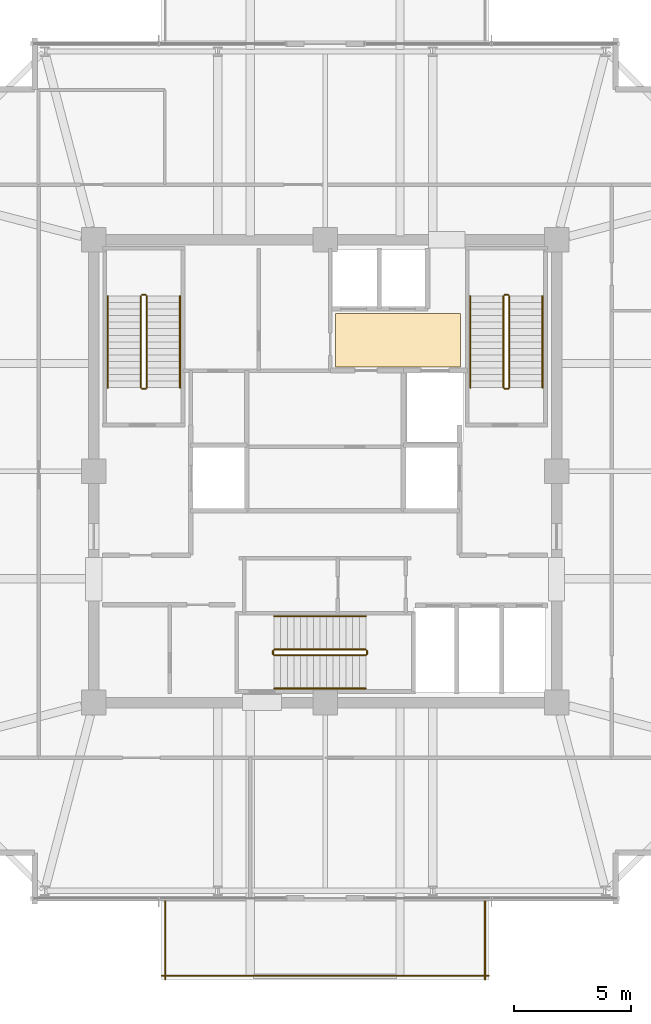
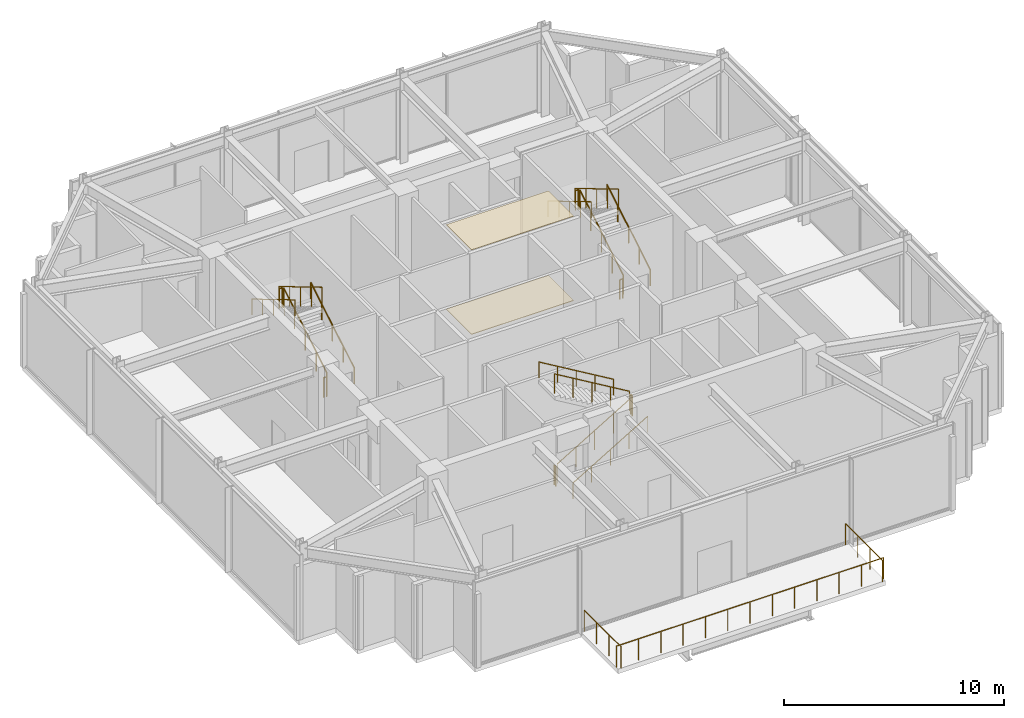
# One storey, part 30 of 31: 21 railings, 2 coverings.
"""IFC4 building model written with IfcOpenShell, lengths in metres."""

import ifcopenshell
import ifcopenshell.guid

model = None  # the IFC model being written
_history = None  # IfcOwnerHistory: only IFC2X3 demands one
_inside = {}  # id of a spatial element -> (the spatial element, [elements in it])
_under = {}  # id of a project, library or spatial element -> (it, [spatial elements below it])
_declared = {}  # id of a project -> (the project, [libraries it declares])
_typed = {}  # id of a type object -> (the type object, [elements of that type])
_made_of = {}  # id of a material, layer set ... -> (it, [elements and type objects made of it])


def new_model(schema):
    """Start an empty IFC model of exactly this schema.

    Asked for "IFC4X3", IfcOpenShell would pick the latest addendum, in which some entities
    have other attributes; the version numbers below select the first issue.
    IFC2X3 requires an IfcOwnerHistory on every rooted entity: one is made here for all.
    """
    global model, _history
    if schema == "IFC4X3":
        model = ifcopenshell.file(schema_version=(4, 3, 0, 0))
    else:
        model = ifcopenshell.file(schema=schema)
    _inside.clear()
    _under.clear()
    _declared.clear()
    _typed.clear()
    _made_of.clear()
    _history = None
    if model.schema == "IFC2X3":
        org = make("IfcOrganization", Name="unknown")
        user = make(
            "IfcPersonAndOrganization",
            ThePerson=make("IfcPerson", FamilyName="unknown"),
            TheOrganization=org,
        )
        app = make(
            "IfcApplication",
            ApplicationDeveloper=org,
            Version="unknown",
            ApplicationFullName="unknown",
            ApplicationIdentifier="unknown",
        )
        _history = make(
            "IfcOwnerHistory",
            OwningUser=user,
            OwningApplication=app,
            ChangeAction="ADDED",
            CreationDate=0,
        )
    return model


def make(cls, **values):
    """One entity of the class cls with the attributes given. An attribute that is None is left unset."""
    return model.create_entity(
        cls, **{name: value for name, value in values.items() if value is not None}
    )


def rooted(cls, **values):
    """An entity with a GlobalId (a new one), such as an element, a storey or a relation."""
    return make(cls, GlobalId=ifcopenshell.guid.new(), OwnerHistory=_history, **values)


def si_unit(unit_type, name, prefix=None):
    """IfcSIUnit, for example si_unit("LENGTHUNIT", "METRE", prefix="MILLI")."""
    return make("IfcSIUnit", UnitType=unit_type, Prefix=prefix, Name=name)


def assignment(units):
    """IfcUnitAssignment: the units of a project."""
    return None if units is None else make("IfcUnitAssignment", Units=units)


def point(xyz):
    """IfcCartesianPoint."""
    return None if xyz is None else make("IfcCartesianPoint", Coordinates=xyz)


def direction(xyz):
    """IfcDirection."""
    return None if xyz is None else make("IfcDirection", DirectionRatios=xyz)


def frame(location, z_axis=None, x_axis=None):
    """IfcAxis2Placement3D, a coordinate frame: its origin and axes. An axis left out is left unset."""
    return make(
        "IfcAxis2Placement3D",
        Location=point(location),
        Axis=direction(z_axis),
        RefDirection=direction(x_axis),
    )


def frame_2d(location, x_axis=None):
    """IfcAxis2Placement2D, a coordinate frame in the plane: its origin and x axis."""
    return make(
        "IfcAxis2Placement2D", Location=point(location), RefDirection=direction(x_axis)
    )


def origin():
    """The frame at (0, 0, 0) with its axes left unset."""
    return frame((0.0, 0.0, 0.0))


def origin_2d():
    """The frame at (0, 0) in the plane with its x axis left unset."""
    return frame_2d((0.0, 0.0))


def place(relative_to, where):
    """IfcLocalPlacement: puts the frame where relative to a parent placement (None: the world)."""
    return make(
        "IfcLocalPlacement", PlacementRelTo=relative_to, RelativePlacement=where
    )


def context(
    kind, dimensions, precision=None, world=None, true_north=None, identifier=None
):
    """IfcGeometricRepresentationContext, for example the 3D "Model" context."""
    return make(
        "IfcGeometricRepresentationContext",
        ContextIdentifier=identifier,
        ContextType=kind,
        CoordinateSpaceDimension=dimensions,
        Precision=precision,
        WorldCoordinateSystem=world,
        TrueNorth=true_north,
    )


def subcontext(parent, identifier, kind, view, scale=None):
    """IfcGeometricRepresentationSubContext, for example "Body" below "Model"."""
    return make(
        "IfcGeometricRepresentationSubContext",
        ContextIdentifier=identifier,
        ContextType=kind,
        ParentContext=parent,
        TargetScale=scale,
        TargetView=view,
    )


def project(units=None, contexts=None):
    """IfcProject with its units and contexts."""
    return rooted(
        "IfcProject",
        Name="project",
        RepresentationContexts=contexts,
        UnitsInContext=assignment(units),
    )


def spatial(cls, under=None, at=None, **own):
    """A site, building, storey or space (cls), placed at a placement, below another one or the project."""
    s = rooted(cls, ObjectPlacement=at, **own)
    if under is not None:
        _under.setdefault(under.id(), (under, []))[1].append(s)
    return s


def polyline(points):
    """IfcPolyline through the points."""
    return make("IfcPolyline", Points=[point(p) for p in points])


def profile(cls, at=None, kind="AREA", **sizes):
    """A parametric profile (cls). Its sizes go by their IFC names, for example OverallWidth=200.0."""
    return make(cls, ProfileType=kind, Position=at, **sizes)


def circle(**sizes):
    """IfcCircleProfileDef."""
    return profile("IfcCircleProfileDef", **sizes)


def outline(outer, holes=None, kind="AREA"):
    """IfcArbitraryClosedProfileDef: a profile drawn as a closed curve; with holes, ...WithVoids."""
    if holes is None:
        return make("IfcArbitraryClosedProfileDef", ProfileType=kind, OuterCurve=outer)
    return make(
        "IfcArbitraryProfileDefWithVoids",
        ProfileType=kind,
        OuterCurve=outer,
        InnerCurves=holes,
    )


def extrude(swept, where, along, depth):
    """IfcExtrudedAreaSolid: the profile swept, set in the frame where, extruded along a direction by depth."""
    return make(
        "IfcExtrudedAreaSolid",
        SweptArea=swept,
        Position=where,
        ExtrudedDirection=direction(along),
        Depth=depth,
    )


def shape(context_of_items, identifier, shape_type, items):
    """IfcShapeRepresentation: the items that make up one representation, for example the "Body"."""
    return make(
        "IfcShapeRepresentation",
        ContextOfItems=context_of_items,
        RepresentationIdentifier=identifier,
        RepresentationType=shape_type,
        Items=items,
    )


def material(Name=None, Category=None):
    """IfcMaterial."""
    return make("IfcMaterial", Name=Name, Category=Category)


def layer(
    of_material, thickness, ventilated=None, Name=None, Category=None, Priority=None
):
    """IfcMaterialLayer: one layer of a wall or slab, of a material (None: an air gap)."""
    return make(
        "IfcMaterialLayer",
        Material=of_material,
        LayerThickness=thickness,
        IsVentilated=ventilated,
        Name=Name,
        Category=Category,
        Priority=Priority,
    )


def layer_set(layers, Name=None):
    """IfcMaterialLayerSet."""
    return make("IfcMaterialLayerSet", MaterialLayers=layers, LayerSetName=Name)


def made_of(thing, what):
    """Note that an element or type object is made of a material, layer set ...; save() writes the relation."""
    if what is not None:
        _made_of.setdefault(what.id(), (what, []))[1].append(thing)
    return thing


def type_object(cls, material=None, **own):
    """A type object (cls), such as IfcWallType, which elements share."""
    return made_of(rooted(cls, **own), material)


def element(
    cls,
    number,
    at=None,
    inside=None,
    cuts=None,
    type_object=None,
    material=None,
    context=None,
    identifier="Body",
    shape_type=None,
    held_by="IfcProductDefinitionShape",
    body=None,
    shapes=None,
    **own,
):
    """One element of the class cls, such as IfcWall. Its Tag is "e" and its number.

    at: its placement. inside: the storey or other place that contains it. cuts: it is an
    opening in that element (IfcRelVoidsElement). A single representation is given by context,
    identifier, shape_type and body (its items); several are given by shapes. held_by: the class
    of the entity that holds the representations. save() writes the other relations.
    """
    e = rooted(cls, Tag="e%d" % number, ObjectPlacement=at, **own)
    if body is not None:
        shapes = [shape(context, identifier, shape_type, body)]
    if shapes is not None:
        e.Representation = make(held_by, Representations=shapes)
    if inside is not None:
        _inside.setdefault(inside.id(), (inside, []))[1].append(e)
    if cuts is not None:
        rooted(
            "IfcRelVoidsElement", RelatingBuildingElement=cuts, RelatedOpeningElement=e
        )
    if type_object is not None:
        _typed.setdefault(type_object.id(), (type_object, []))[1].append(e)
    return made_of(e, material)


def aggregate(whole, parts):
    """IfcRelAggregates: a whole, such as a stair, and the parts it consists of."""
    return rooted("IfcRelAggregates", RelatingObject=whole, RelatedObjects=parts)


def save(model, path):
    """Write the relations noted so far, then the file.

    IfcRelAggregates (storeys below a building ...), IfcRelContainedInSpatialStructure (elements
    in a storey), IfcRelDefinesByType, IfcRelAssociatesMaterial and IfcRelDeclares: one each for
    every whole, place, type object, material and project.
    """
    for whole, parts in _under.values():
        aggregate(whole, parts)
    for where, things in _inside.values():
        rooted(
            "IfcRelContainedInSpatialStructure",
            RelatedElements=things,
            RelatingStructure=where,
        )
    for kind, things in _typed.values():
        rooted("IfcRelDefinesByType", RelatedObjects=things, RelatingType=kind)
    for what, things in _made_of.values():
        rooted("IfcRelAssociatesMaterial", RelatedObjects=things, RelatingMaterial=what)
    for by, libraries in _declared.values():
        rooted("IfcRelDeclares", RelatingContext=by, RelatedDefinitions=libraries)
    model.write(path)


model = new_model("IFC4")

# Units and contexts
model_context = context("Model", 3, precision=1e-05, world=origin(), true_north=direction((0.0, 1.0)))
body_context = subcontext(model_context, "Body", "Model", "MODEL_VIEW")
ifc_project = project(units=[si_unit("LENGTHUNIT", "METRE"), si_unit("AREAUNIT", "SQUARE_METRE"), si_unit("VOLUMEUNIT", "CUBIC_METRE"), si_unit("PLANEANGLEUNIT", "RADIAN"), si_unit("MASSUNIT", "GRAM", prefix="KILO")], contexts=[model_context])

# Site, building, storey
site_placement = place(None, origin())
site = spatial("IfcSite", under=ifc_project, at=site_placement, CompositionType="ELEMENT")
building_placement = place(site_placement, origin())
building = spatial("IfcBuilding", under=site, at=building_placement, Name="Kolvaren Belvedere", CompositionType="ELEMENT")
storey_placement = place(building_placement, frame((0.0, 0.0, 267.39990234375)))
storey = spatial("IfcBuildingStorey", under=building, at=storey_placement, Name="L77", CompositionType="ELEMENT", Elevation=267.39990234375)

# Coverings
ifc_material_1 = material(Name="Acoustic perforated gypsum board", Category="gypsum")
ifc_layer_1 = layer(ifc_material_1, 0.02490234375)
ifc_layer_set_1 = layer_set([ifc_layer_1], Name="Acoustic perforated gypsum board")
covering_type_1 = type_object("IfcCoveringType", Name="COV-CEIL-GYP", PredefinedType="CEILING", material=ifc_layer_set_1)
covering_1_placement = place(storey_placement, frame((0.0, 0.0, 4.675048828125)))
element("IfcCovering", 1, at=covering_1_placement, inside=storey, type_object=covering_type_1, Name="L77 Lift Lobby Acoustic Baffle Ceiling", PredefinedType="CEILING", context=body_context, shape_type="SweptSolid", body=[
    extrude(outline(polyline([(0.449951171875, 4.449951171875), (5.800048828125, 4.449951171875), (5.800048828125, 6.75), (0.449951171875, 6.75), (0.449951171875, 4.449951171875)])), origin(), (0.0, 0.0, 1.0), 0.025146484375),
])
ifc_material_2 = material(Name="Honed Cascade basalt stone", Category="masonry")
ifc_layer_2 = layer(ifc_material_2, 0.02490234375)
ifc_layer_set_2 = layer_set([ifc_layer_2], Name="Honed Cascade basalt stone")
covering_type_2 = type_object("IfcCoveringType", Name="COV-FLR-STONE", PredefinedType="FLOORING", material=ifc_layer_set_2)
covering_2_placement = place(storey_placement, origin())
element("IfcCovering", 2, at=covering_2_placement, inside=storey, type_object=covering_type_2, Name="L77 Lift Lobby Finish Flooring", PredefinedType="FLOORING", context=body_context, shape_type="SweptSolid", body=[
    extrude(outline(polyline([(0.449951171875, 4.449951171875), (5.800048828125, 4.449951171875), (5.800048828125, 6.75), (0.449951171875, 6.75), (0.449951171875, 4.449951171875)])), origin(), (0.0, 0.0, 1.0), 0.025146484375),
])

# Railings
ifc_material_3 = material(Name="Brushed stainless-steel handrail", Category="steel")
railing_type_1 = type_object("IfcRailingType", Name="RL-HANDRAIL-920", PredefinedType="HANDRAIL", material=ifc_material_3)
railing_1_placement = place(storey_placement, frame((-6.2099609375, 3.570068359375, 0.166748046875)))
element("IfcRailing", 3, at=railing_1_placement, inside=storey, type_object=railing_type_1, Name="L77 ST-1 stair handrail 1", PredefinedType="HANDRAIL", context=body_context, shape_type="SweptSolid", body=[
    extrude(circle(Radius=0.02392578125, at=origin_2d()), frame((0.0, 0.0, 0.8759765625), z_axis=(0.0, 0.859296244711, 0.511478214419), x_axis=(-1.0, 0.0, 0.0)), (0.0, 0.0, 1.0), 4.561767578125),
    extrude(circle(Radius=0.02099609375, at=origin_2d()), origin(), (0.0, 0.0, 1.0), 0.851806640625),
    extrude(circle(Radius=0.02099609375, at=origin_2d()), frame((0.0, 0.97998046875, 0.583251953125)), (0.0, 0.0, 1.0), 0.851806640625),
    extrude(circle(Radius=0.02099609375, at=origin_2d()), frame((0.0, 1.9599609375, 1.16650390625)), (0.0, 0.0, 1.0), 0.851806640625),
    extrude(circle(Radius=0.02099609375, at=origin_2d()), frame((0.0, 2.93994140625, 1.75)), (0.0, 0.0, 1.0), 0.851806640625),
    extrude(circle(Radius=0.02099609375, at=origin_2d()), frame((0.0, 3.919921875, 2.333251953125)), (0.0, 0.0, 1.0), 0.851806640625),
])
railing_2_placement = place(storey_placement, frame((-9.300048828125, 7.489990234375, 2.666748046875)))
element("IfcRailing", 4, at=railing_2_placement, inside=storey, type_object=railing_type_1, Name="L77 ST-1 stair handrail 2", PredefinedType="HANDRAIL", context=body_context, shape_type="SweptSolid", body=[
    extrude(circle(Radius=0.02392578125, at=origin_2d()), frame((0.0, 0.0, 0.8759765625), z_axis=(0.0, -0.859296244711, 0.511478214419), x_axis=(1.0, 0.0, 0.0)), (0.0, 0.0, 1.0), 4.561767578125),
    extrude(circle(Radius=0.02099609375, at=origin_2d()), origin(), (0.0, 0.0, 1.0), 0.851806640625),
    extrude(circle(Radius=0.02099609375, at=origin_2d()), frame((0.0, -0.97998046875, 0.583251953125)), (0.0, 0.0, 1.0), 0.851806640625),
    extrude(circle(Radius=0.02099609375, at=origin_2d()), frame((0.0, -1.9599609375, 1.16650390625)), (0.0, 0.0, 1.0), 0.851806640625),
    extrude(circle(Radius=0.02099609375, at=origin_2d()), frame((0.0, -2.93994140625, 1.75)), (0.0, 0.0, 1.0), 0.851806640625),
    extrude(circle(Radius=0.02099609375, at=origin_2d()), frame((0.0, -3.919921875, 2.333251953125)), (0.0, 0.0, 1.0), 0.851806640625),
])
railing_3_placement = place(storey_placement, frame((9.300048828125, 3.570068359375, 0.166748046875)))
element("IfcRailing", 5, at=railing_3_placement, inside=storey, type_object=railing_type_1, Name="L77 ST-2 stair handrail 1", PredefinedType="HANDRAIL", context=body_context, shape_type="SweptSolid", body=[
    extrude(circle(Radius=0.02392578125, at=origin_2d()), frame((0.0, 0.0, 0.8759765625), z_axis=(0.0, 0.859296244711, 0.511478214419), x_axis=(-1.0, 0.0, 0.0)), (0.0, 0.0, 1.0), 4.561767578125),
    extrude(circle(Radius=0.02099609375, at=origin_2d()), origin(), (0.0, 0.0, 1.0), 0.851806640625),
    extrude(circle(Radius=0.02099609375, at=origin_2d()), frame((0.0, 0.97998046875, 0.583251953125)), (0.0, 0.0, 1.0), 0.851806640625),
    extrude(circle(Radius=0.02099609375, at=origin_2d()), frame((0.0, 1.9599609375, 1.16650390625)), (0.0, 0.0, 1.0), 0.851806640625),
    extrude(circle(Radius=0.02099609375, at=origin_2d()), frame((0.0, 2.93994140625, 1.75)), (0.0, 0.0, 1.0), 0.851806640625),
    extrude(circle(Radius=0.02099609375, at=origin_2d()), frame((0.0, 3.919921875, 2.333251953125)), (0.0, 0.0, 1.0), 0.851806640625),
])
railing_4_placement = place(storey_placement, frame((6.2099609375, 7.489990234375, 2.666748046875)))
element("IfcRailing", 6, at=railing_4_placement, inside=storey, type_object=railing_type_1, Name="L77 ST-2 stair handrail 2", PredefinedType="HANDRAIL", context=body_context, shape_type="SweptSolid", body=[
    extrude(circle(Radius=0.02392578125, at=origin_2d()), frame((0.0, 0.0, 0.8759765625), z_axis=(0.0, -0.859296244711, 0.511478214419), x_axis=(1.0, 0.0, 0.0)), (0.0, 0.0, 1.0), 4.561767578125),
    extrude(circle(Radius=0.02099609375, at=origin_2d()), origin(), (0.0, 0.0, 1.0), 0.851806640625),
    extrude(circle(Radius=0.02099609375, at=origin_2d()), frame((0.0, -0.97998046875, 0.583251953125)), (0.0, 0.0, 1.0), 0.851806640625),
    extrude(circle(Radius=0.02099609375, at=origin_2d()), frame((0.0, -1.9599609375, 1.16650390625)), (0.0, 0.0, 1.0), 0.851806640625),
    extrude(circle(Radius=0.02099609375, at=origin_2d()), frame((0.0, -2.93994140625, 1.75)), (0.0, 0.0, 1.0), 0.851806640625),
    extrude(circle(Radius=0.02099609375, at=origin_2d()), frame((0.0, -3.919921875, 2.333251953125)), (0.0, 0.0, 1.0), 0.851806640625),
])
railing_5_placement = place(storey_placement, frame((-2.179931640625, -9.300048828125, 0.166748046875)))
element("IfcRailing", 7, at=railing_5_placement, inside=storey, type_object=railing_type_1, Name="L77 ST-3 stair handrail 1", PredefinedType="HANDRAIL", context=body_context, shape_type="SweptSolid", body=[
    extrude(circle(Radius=0.02392578125, at=origin_2d()), frame((0.0, 0.0, 0.8759765625), z_axis=(0.859296244711, 0.0, 0.511478214419), x_axis=(0.0, 1.0, 0.0)), (0.0, 0.0, 1.0), 4.561767578125),
    extrude(circle(Radius=0.02099609375, at=origin_2d()), origin(), (0.0, 0.0, 1.0), 0.851806640625),
    extrude(circle(Radius=0.02099609375, at=origin_2d()), frame((0.97998046875, 0.0, 0.583251953125)), (0.0, 0.0, 1.0), 0.851806640625),
    extrude(circle(Radius=0.02099609375, at=origin_2d()), frame((1.9599609375, 0.0, 1.16650390625)), (0.0, 0.0, 1.0), 0.851806640625),
    extrude(circle(Radius=0.02099609375, at=origin_2d()), frame((2.93994140625, 0.0, 1.75)), (0.0, 0.0, 1.0), 0.851806640625),
    extrude(circle(Radius=0.02099609375, at=origin_2d()), frame((3.919921875, 0.0, 2.333251953125)), (0.0, 0.0, 1.0), 0.851806640625),
])
railing_6_placement = place(storey_placement, frame((1.739990234375, -6.2099609375, 2.666748046875)))
element("IfcRailing", 8, at=railing_6_placement, inside=storey, type_object=railing_type_1, Name="L77 ST-3 stair handrail 2", PredefinedType="HANDRAIL", context=body_context, shape_type="SweptSolid", body=[
    extrude(circle(Radius=0.02392578125, at=origin_2d()), frame((0.0, 0.0, 0.8759765625), z_axis=(-0.859296244711, 0.0, 0.511478214419), x_axis=(0.0, -1.0, 0.0)), (0.0, 0.0, 1.0), 4.561767578125),
    extrude(circle(Radius=0.02099609375, at=origin_2d()), origin(), (0.0, 0.0, 1.0), 0.851806640625),
    extrude(circle(Radius=0.02099609375, at=origin_2d()), frame((-0.97998046875, 0.0, 0.583251953125)), (0.0, 0.0, 1.0), 0.851806640625),
    extrude(circle(Radius=0.02099609375, at=origin_2d()), frame((-1.9599609375, 0.0, 1.16650390625)), (0.0, 0.0, 1.0), 0.851806640625),
    extrude(circle(Radius=0.02099609375, at=origin_2d()), frame((-2.93994140625, 0.0, 1.75)), (0.0, 0.0, 1.0), 0.851806640625),
    extrude(circle(Radius=0.02099609375, at=origin_2d()), frame((-3.919921875, 0.0, 2.333251953125)), (0.0, 0.0, 1.0), 0.851806640625),
])
ifc_material_4 = material(Name="Structural stainless-steel & low-iron glass lookout guard", Category="steel")
railing_type_2 = type_object("IfcRailingType", Name="RL-LOOKOUT-1200", PredefinedType="GUARDRAIL", material=ifc_material_4)
railing_7_placement = place(storey_placement, frame((-7.0, -21.590087890625, -0.02001953125)))
element("IfcRailing", 9, at=railing_7_placement, inside=storey, type_object=railing_type_2, Name="L77 Exterior Deck Safety Guard LOOKOUT-S-1", PredefinedType="GUARDRAIL", context=body_context, shape_type="SweptSolid", body=[
    extrude(circle(Radius=0.02392578125, at=origin_2d()), frame((0.0, 0.0, 1.17578125), z_axis=(1.0, 0.0, 0.0), x_axis=(0.0, 1.0, 0.0)), (0.0, 0.0, 1.0), 14.0),
    extrude(circle(Radius=0.02099609375, at=origin_2d()), origin(), (0.0, 0.0, 1.0), 1.15185546875),
    extrude(circle(Radius=0.02099609375, at=origin_2d()), frame((1.166748046875, 0.0, 0.0)), (0.0, 0.0, 1.0), 1.15185546875),
    extrude(circle(Radius=0.02099609375, at=origin_2d()), frame((2.333251953125, 0.0, 0.0)), (0.0, 0.0, 1.0), 1.15185546875),
    extrude(circle(Radius=0.02099609375, at=origin_2d()), frame((3.5, 0.0, 0.0)), (0.0, 0.0, 1.0), 1.15185546875),
    extrude(circle(Radius=0.02099609375, at=origin_2d()), frame((4.666748046875, 0.0, 0.0)), (0.0, 0.0, 1.0), 1.15185546875),
    extrude(circle(Radius=0.02099609375, at=origin_2d()), frame((5.833251953125, 0.0, 0.0)), (0.0, 0.0, 1.0), 1.15185546875),
    extrude(circle(Radius=0.02099609375, at=origin_2d()), frame((7.0, 0.0, 0.0)), (0.0, 0.0, 1.0), 1.15185546875),
    extrude(circle(Radius=0.02099609375, at=origin_2d()), frame((8.166748046875, 0.0, 0.0)), (0.0, 0.0, 1.0), 1.15185546875),
    extrude(circle(Radius=0.02099609375, at=origin_2d()), frame((9.333251953125, 0.0, 0.0)), (0.0, 0.0, 1.0), 1.15185546875),
    extrude(circle(Radius=0.02099609375, at=origin_2d()), frame((10.5, 0.0, 0.0)), (0.0, 0.0, 1.0), 1.15185546875),
    extrude(circle(Radius=0.02099609375, at=origin_2d()), frame((11.666748046875, 0.0, 0.0)), (0.0, 0.0, 1.0), 1.15185546875),
    extrude(circle(Radius=0.02099609375, at=origin_2d()), frame((12.833251953125, 0.0, 0.0)), (0.0, 0.0, 1.0), 1.15185546875),
    extrude(circle(Radius=0.02099609375, at=origin_2d()), frame((14.0, 0.0, 0.0)), (0.0, 0.0, 1.0), 1.15185546875),
])
railing_8_placement = place(storey_placement, frame((6.840087890625, -21.75, -0.02001953125)))
element("IfcRailing", 10, at=railing_8_placement, inside=storey, type_object=railing_type_2, Name="L77 Exterior Deck Safety Guard LOOKOUT-S-2", PredefinedType="GUARDRAIL", context=body_context, shape_type="SweptSolid", body=[
    extrude(circle(Radius=0.02392578125, at=origin_2d()), frame((0.0, 0.0, 1.17578125), z_axis=(0.0, 1.0, 0.0), x_axis=(-1.0, 0.0, 0.0)), (0.0, 0.0, 1.0), 3.35009765625),
    extrude(circle(Radius=0.02099609375, at=origin_2d()), origin(), (0.0, 0.0, 1.0), 1.15185546875),
    extrude(circle(Radius=0.02099609375, at=origin_2d()), frame((0.0, 1.11669921875, 0.0)), (0.0, 0.0, 1.0), 1.15185546875),
    extrude(circle(Radius=0.02099609375, at=origin_2d()), frame((0.0, 2.2333984375, 0.0)), (0.0, 0.0, 1.0), 1.15185546875),
    extrude(circle(Radius=0.02099609375, at=origin_2d()), frame((0.0, 3.35009765625, 0.0)), (0.0, 0.0, 1.0), 1.15185546875),
])
railing_9_placement = place(storey_placement, frame((-6.840087890625, -18.39990234375, -0.02001953125)))
element("IfcRailing", 11, at=railing_9_placement, inside=storey, type_object=railing_type_2, Name="L77 Exterior Deck Safety Guard LOOKOUT-S-4", PredefinedType="GUARDRAIL", context=body_context, shape_type="SweptSolid", body=[
    extrude(circle(Radius=0.02392578125, at=origin_2d()), frame((0.0, 0.0, 1.17578125), z_axis=(0.0, -1.0, 0.0), x_axis=(1.0, 0.0, 0.0)), (0.0, 0.0, 1.0), 3.35009765625),
    extrude(circle(Radius=0.02099609375, at=origin_2d()), origin(), (0.0, 0.0, 1.0), 1.15185546875),
    extrude(circle(Radius=0.02099609375, at=origin_2d()), frame((0.0, -1.11669921875, 0.0)), (0.0, 0.0, 1.0), 1.15185546875),
    extrude(circle(Radius=0.02099609375, at=origin_2d()), frame((0.0, -2.2333984375, 0.0)), (0.0, 0.0, 1.0), 1.15185546875),
    extrude(circle(Radius=0.02099609375, at=origin_2d()), frame((0.0, -3.35009765625, 0.0)), (0.0, 0.0, 1.0), 1.15185546875),
])
ifc_material_5 = material(Name="Painted tubular steel stair guard", Category="steel")
railing_type_3 = type_object("IfcRailingType", Name="RL-STGUARD-1100", PredefinedType="GUARDRAIL", material=ifc_material_5)
railing_10_placement = place(storey_placement, frame((-7.6298828125, 3.570068359375, 0.166748046875)))
element("IfcRailing", 12, at=railing_10_placement, inside=storey, type_object=railing_type_3, Name="L77 ST-1 stair guard 1", PredefinedType="GUARDRAIL", context=body_context, shape_type="SweptSolid", body=[
    extrude(circle(Radius=0.02392578125, at=origin_2d()), frame((0.0, 0.0, 1.076171875), z_axis=(0.0, 0.859296244711, 0.511478214419), x_axis=(-1.0, 0.0, 0.0)), (0.0, 0.0, 1.0), 4.561767578125),
    extrude(circle(Radius=0.02099609375, at=origin_2d()), origin(), (0.0, 0.0, 1.0), 1.052001953125),
    extrude(circle(Radius=0.02099609375, at=origin_2d()), frame((0.0, 0.97998046875, 0.583251953125)), (0.0, 0.0, 1.0), 1.052001953125),
    extrude(circle(Radius=0.02099609375, at=origin_2d()), frame((0.0, 1.9599609375, 1.16650390625)), (0.0, 0.0, 1.0), 1.052001953125),
    extrude(circle(Radius=0.02099609375, at=origin_2d()), frame((0.0, 2.93994140625, 1.75)), (0.0, 0.0, 1.0), 1.052001953125),
    extrude(circle(Radius=0.02099609375, at=origin_2d()), frame((0.0, 3.919921875, 2.333251953125)), (0.0, 0.0, 1.0), 1.052001953125),
])
railing_11_placement = place(storey_placement, frame((-7.679931640625, 7.5400390625, 2.5)))
element("IfcRailing", 13, at=railing_11_placement, inside=storey, type_object=railing_type_3, Name="L77 ST-1 stair guard 2", PredefinedType="GUARDRAIL", context=body_context, shape_type="SweptSolid", body=[
    extrude(circle(Radius=0.02392578125, at=origin_2d()), frame((0.0, 0.0, 1.076171875), z_axis=(-1.0, 0.0, 0.0), x_axis=(0.0, -1.0, 0.0)), (0.0, 0.0, 1.0), 0.150146484375),
    extrude(circle(Radius=0.02099609375, at=origin_2d()), origin(), (0.0, 0.0, 1.0), 1.052001953125),
    extrude(circle(Radius=0.02099609375, at=origin_2d()), frame((-0.150146484375, 0.0, 0.0)), (0.0, 0.0, 1.0), 1.052001953125),
])
railing_12_placement = place(storey_placement, frame((-7.8798828125, 7.489990234375, 2.666748046875)))
element("IfcRailing", 14, at=railing_12_placement, inside=storey, type_object=railing_type_3, Name="L77 ST-1 stair guard 3", PredefinedType="GUARDRAIL", context=body_context, shape_type="SweptSolid", body=[
    extrude(circle(Radius=0.02392578125, at=origin_2d()), frame((0.0, 0.0, 1.076171875), z_axis=(0.0, -0.859296244711, 0.511478214419), x_axis=(1.0, 0.0, 0.0)), (0.0, 0.0, 1.0), 4.561767578125),
    extrude(circle(Radius=0.02099609375, at=origin_2d()), origin(), (0.0, 0.0, 1.0), 1.052001953125),
    extrude(circle(Radius=0.02099609375, at=origin_2d()), frame((0.0, -0.97998046875, 0.583251953125)), (0.0, 0.0, 1.0), 1.052001953125),
    extrude(circle(Radius=0.02099609375, at=origin_2d()), frame((0.0, -1.9599609375, 1.16650390625)), (0.0, 0.0, 1.0), 1.052001953125),
    extrude(circle(Radius=0.02099609375, at=origin_2d()), frame((0.0, -2.93994140625, 1.75)), (0.0, 0.0, 1.0), 1.052001953125),
    extrude(circle(Radius=0.02099609375, at=origin_2d()), frame((0.0, -3.919921875, 2.333251953125)), (0.0, 0.0, 1.0), 1.052001953125),
])
railing_13_placement = place(storey_placement, frame((-7.679931640625, 3.52001953125, 0.0)))
element("IfcRailing", 15, at=railing_13_placement, inside=storey, type_object=railing_type_3, Name="L77 ST-1 stair guard 4", PredefinedType="GUARDRAIL", context=body_context, shape_type="SweptSolid", body=[
    extrude(circle(Radius=0.02392578125, at=origin_2d()), frame((0.0, 0.0, 1.076171875), z_axis=(-1.0, 0.0, 0.0), x_axis=(0.0, -1.0, 0.0)), (0.0, 0.0, 1.0), 0.150146484375),
    extrude(circle(Radius=0.02099609375, at=origin_2d()), origin(), (0.0, 0.0, 1.0), 1.052001953125),
    extrude(circle(Radius=0.02099609375, at=origin_2d()), frame((-0.150146484375, 0.0, 0.0)), (0.0, 0.0, 1.0), 1.052001953125),
])
railing_14_placement = place(storey_placement, frame((7.8798828125, 3.570068359375, 0.166748046875)))
element("IfcRailing", 16, at=railing_14_placement, inside=storey, type_object=railing_type_3, Name="L77 ST-2 stair guard 1", PredefinedType="GUARDRAIL", context=body_context, shape_type="SweptSolid", body=[
    extrude(circle(Radius=0.02392578125, at=origin_2d()), frame((0.0, 0.0, 1.076171875), z_axis=(0.0, 0.859296244711, 0.511478214419), x_axis=(-1.0, 0.0, 0.0)), (0.0, 0.0, 1.0), 4.561767578125),
    extrude(circle(Radius=0.02099609375, at=origin_2d()), origin(), (0.0, 0.0, 1.0), 1.052001953125),
    extrude(circle(Radius=0.02099609375, at=origin_2d()), frame((0.0, 0.97998046875, 0.583251953125)), (0.0, 0.0, 1.0), 1.052001953125),
    extrude(circle(Radius=0.02099609375, at=origin_2d()), frame((0.0, 1.9599609375, 1.16650390625)), (0.0, 0.0, 1.0), 1.052001953125),
    extrude(circle(Radius=0.02099609375, at=origin_2d()), frame((0.0, 2.93994140625, 1.75)), (0.0, 0.0, 1.0), 1.052001953125),
    extrude(circle(Radius=0.02099609375, at=origin_2d()), frame((0.0, 3.919921875, 2.333251953125)), (0.0, 0.0, 1.0), 1.052001953125),
])
railing_15_placement = place(storey_placement, frame((7.830078125, 7.5400390625, 2.5)))
element("IfcRailing", 17, at=railing_15_placement, inside=storey, type_object=railing_type_3, Name="L77 ST-2 stair guard 2", PredefinedType="GUARDRAIL", context=body_context, shape_type="SweptSolid", body=[
    extrude(circle(Radius=0.02392578125, at=origin_2d()), frame((0.0, 0.0, 1.076171875), z_axis=(-1.0, 0.0, 0.0), x_axis=(0.0, -1.0, 0.0)), (0.0, 0.0, 1.0), 0.150146484375),
    extrude(circle(Radius=0.02099609375, at=origin_2d()), origin(), (0.0, 0.0, 1.0), 1.052001953125),
    extrude(circle(Radius=0.02099609375, at=origin_2d()), frame((-0.150146484375, 0.0, 0.0)), (0.0, 0.0, 1.0), 1.052001953125),
])
railing_16_placement = place(storey_placement, frame((7.6298828125, 7.489990234375, 2.666748046875)))
element("IfcRailing", 18, at=railing_16_placement, inside=storey, type_object=railing_type_3, Name="L77 ST-2 stair guard 3", PredefinedType="GUARDRAIL", context=body_context, shape_type="SweptSolid", body=[
    extrude(circle(Radius=0.02392578125, at=origin_2d()), frame((0.0, 0.0, 1.076171875), z_axis=(0.0, -0.859296244711, 0.511478214419), x_axis=(1.0, 0.0, 0.0)), (0.0, 0.0, 1.0), 4.561767578125),
    extrude(circle(Radius=0.02099609375, at=origin_2d()), origin(), (0.0, 0.0, 1.0), 1.052001953125),
    extrude(circle(Radius=0.02099609375, at=origin_2d()), frame((0.0, -0.97998046875, 0.583251953125)), (0.0, 0.0, 1.0), 1.052001953125),
    extrude(circle(Radius=0.02099609375, at=origin_2d()), frame((0.0, -1.9599609375, 1.16650390625)), (0.0, 0.0, 1.0), 1.052001953125),
    extrude(circle(Radius=0.02099609375, at=origin_2d()), frame((0.0, -2.93994140625, 1.75)), (0.0, 0.0, 1.0), 1.052001953125),
    extrude(circle(Radius=0.02099609375, at=origin_2d()), frame((0.0, -3.919921875, 2.333251953125)), (0.0, 0.0, 1.0), 1.052001953125),
])
railing_17_placement = place(storey_placement, frame((7.830078125, 3.52001953125, 0.0)))
element("IfcRailing", 19, at=railing_17_placement, inside=storey, type_object=railing_type_3, Name="L77 ST-2 stair guard 4", PredefinedType="GUARDRAIL", context=body_context, shape_type="SweptSolid", body=[
    extrude(circle(Radius=0.02392578125, at=origin_2d()), frame((0.0, 0.0, 1.076171875), z_axis=(-1.0, 0.0, 0.0), x_axis=(0.0, -1.0, 0.0)), (0.0, 0.0, 1.0), 0.150146484375),
    extrude(circle(Radius=0.02099609375, at=origin_2d()), origin(), (0.0, 0.0, 1.0), 1.052001953125),
    extrude(circle(Radius=0.02099609375, at=origin_2d()), frame((-0.150146484375, 0.0, 0.0)), (0.0, 0.0, 1.0), 1.052001953125),
])
railing_18_placement = place(storey_placement, frame((-2.179931640625, -7.8798828125, 0.166748046875)))
element("IfcRailing", 20, at=railing_18_placement, inside=storey, type_object=railing_type_3, Name="L77 ST-3 stair guard 1", PredefinedType="GUARDRAIL", context=body_context, shape_type="SweptSolid", body=[
    extrude(circle(Radius=0.02392578125, at=origin_2d()), frame((0.0, 0.0, 1.076171875), z_axis=(0.859296244711, 0.0, 0.511478214419), x_axis=(0.0, 1.0, 0.0)), (0.0, 0.0, 1.0), 4.561767578125),
    extrude(circle(Radius=0.02099609375, at=origin_2d()), origin(), (0.0, 0.0, 1.0), 1.052001953125),
    extrude(circle(Radius=0.02099609375, at=origin_2d()), frame((0.97998046875, 0.0, 0.583251953125)), (0.0, 0.0, 1.0), 1.052001953125),
    extrude(circle(Radius=0.02099609375, at=origin_2d()), frame((1.9599609375, 0.0, 1.16650390625)), (0.0, 0.0, 1.0), 1.052001953125),
    extrude(circle(Radius=0.02099609375, at=origin_2d()), frame((2.93994140625, 0.0, 1.75)), (0.0, 0.0, 1.0), 1.052001953125),
    extrude(circle(Radius=0.02099609375, at=origin_2d()), frame((3.919921875, 0.0, 2.333251953125)), (0.0, 0.0, 1.0), 1.052001953125),
])
railing_19_placement = place(storey_placement, frame((1.7900390625, -7.830078125, 2.5)))
element("IfcRailing", 21, at=railing_19_placement, inside=storey, type_object=railing_type_3, Name="L77 ST-3 stair guard 2", PredefinedType="GUARDRAIL", context=body_context, shape_type="SweptSolid", body=[
    extrude(circle(Radius=0.02392578125, at=origin_2d()), frame((0.0, 0.0, 1.076171875), z_axis=(0.0, 1.0, 0.0), x_axis=(-1.0, 0.0, 0.0)), (0.0, 0.0, 1.0), 0.150146484375),
    extrude(circle(Radius=0.02099609375, at=origin_2d()), origin(), (0.0, 0.0, 1.0), 1.052001953125),
    extrude(circle(Radius=0.02099609375, at=origin_2d()), frame((0.0, 0.150146484375, 0.0)), (0.0, 0.0, 1.0), 1.052001953125),
])
railing_20_placement = place(storey_placement, frame((1.739990234375, -7.6298828125, 2.666748046875)))
element("IfcRailing", 22, at=railing_20_placement, inside=storey, type_object=railing_type_3, Name="L77 ST-3 stair guard 3", PredefinedType="GUARDRAIL", context=body_context, shape_type="SweptSolid", body=[
    extrude(circle(Radius=0.02392578125, at=origin_2d()), frame((0.0, 0.0, 1.076171875), z_axis=(-0.859296244711, 0.0, 0.511478214419), x_axis=(0.0, -1.0, 0.0)), (0.0, 0.0, 1.0), 4.561767578125),
    extrude(circle(Radius=0.02099609375, at=origin_2d()), origin(), (0.0, 0.0, 1.0), 1.052001953125),
    extrude(circle(Radius=0.02099609375, at=origin_2d()), frame((-0.97998046875, 0.0, 0.583251953125)), (0.0, 0.0, 1.0), 1.052001953125),
    extrude(circle(Radius=0.02099609375, at=origin_2d()), frame((-1.9599609375, 0.0, 1.16650390625)), (0.0, 0.0, 1.0), 1.052001953125),
    extrude(circle(Radius=0.02099609375, at=origin_2d()), frame((-2.93994140625, 0.0, 1.75)), (0.0, 0.0, 1.0), 1.052001953125),
    extrude(circle(Radius=0.02099609375, at=origin_2d()), frame((-3.919921875, 0.0, 2.333251953125)), (0.0, 0.0, 1.0), 1.052001953125),
])
railing_21_placement = place(storey_placement, frame((-2.22998046875, -7.830078125, 0.0)))
element("IfcRailing", 23, at=railing_21_placement, inside=storey, type_object=railing_type_3, Name="L77 ST-3 stair guard 4", PredefinedType="GUARDRAIL", context=body_context, shape_type="SweptSolid", body=[
    extrude(circle(Radius=0.02392578125, at=origin_2d()), frame((0.0, 0.0, 1.076171875), z_axis=(0.0, 1.0, 0.0), x_axis=(-1.0, 0.0, 0.0)), (0.0, 0.0, 1.0), 0.150146484375),
    extrude(circle(Radius=0.02099609375, at=origin_2d()), origin(), (0.0, 0.0, 1.0), 1.052001953125),
    extrude(circle(Radius=0.02099609375, at=origin_2d()), frame((0.0, 0.150146484375, 0.0)), (0.0, 0.0, 1.0), 1.052001953125),
])

save(model, "model.ifc")
